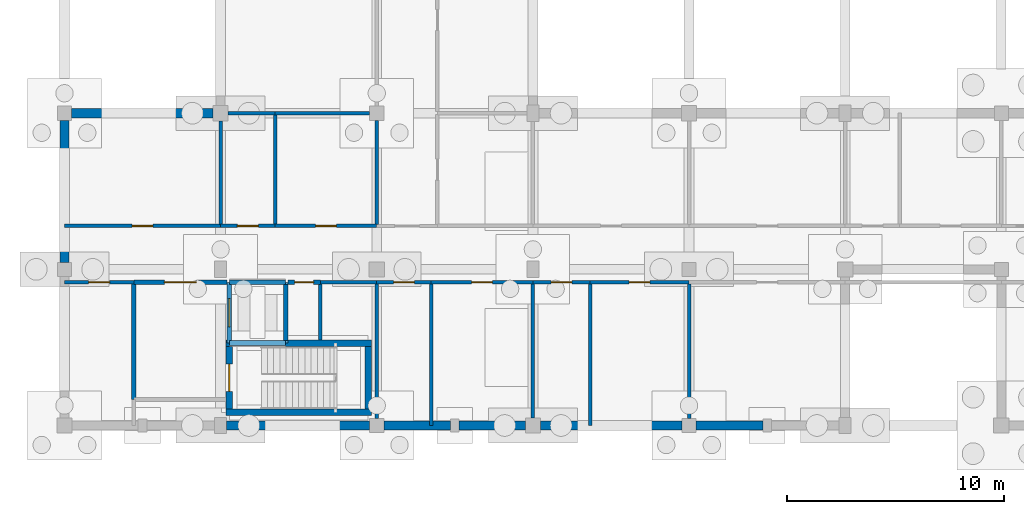
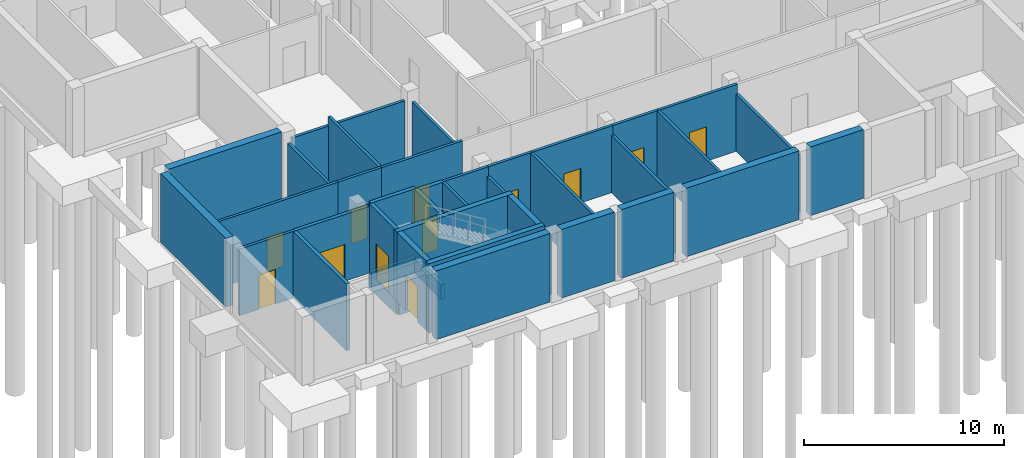
# One storey, part 7 of 17: 41 walls, 12 doors, 12 openings.
"""IFC4 building model written with IfcOpenShell, lengths in metres."""

from ifc_helpers import new_model, si_unit, direction, frame, frame_2d, origin, place, context, subcontext, project, spatial, rectangle, extrude, material, layer, layer_set, type_object, element, fill, save


model = new_model("IFC4")

# Units and contexts
model_context = context("Model", 3, precision=1e-05, world=origin(), true_north=direction((0.0, 1.0)))
body_context = subcontext(model_context, "Body", "Model", "MODEL_VIEW")
ifc_project = project(units=[si_unit("LENGTHUNIT", "METRE"), si_unit("AREAUNIT", "SQUARE_METRE"), si_unit("VOLUMEUNIT", "CUBIC_METRE"), si_unit("PLANEANGLEUNIT", "RADIAN"), si_unit("MASSUNIT", "GRAM", prefix="KILO")], contexts=[model_context])

# Site, building, storey
site_placement = place(None, origin())
site = spatial("IfcSite", under=ifc_project, at=site_placement, CompositionType="ELEMENT")
building_placement = place(site_placement, origin())
building = spatial("IfcBuilding", under=site, at=building_placement, Name="Hawrajan Terrace Health Centre", CompositionType="ELEMENT")
storey_placement = place(building_placement, frame((0.0, 0.0, -4.5)))
storey = spatial("IfcBuildingStorey", under=building, at=storey_placement, Name="B1", CompositionType="ELEMENT", Elevation=-4.5)

# Walls
ifc_material_1 = material(Name="Concrete C40/50", Category="concrete")
ifc_layer_1 = layer(ifc_material_1, 0.300048828125)
ifc_layer_set_1 = layer_set([ifc_layer_1], Name="Concrete C40/50")
wall_type_1 = type_object("IfcWallType", Name="CoreShearWall_RC300", PredefinedType="SHEAR", material=ifc_layer_set_1)
for number, where, z_axis, x_axis, name in (
    (1, (12.050048828125, 4.800048828125, 0.0), (0.0, 0.0, 1.0), (1.0, 0.0, 0.0), "Core shear wall SW-C3-B1-S"),
    (2, (12.050048828125, 8.0, 0.0), (0.0, 0.0, 1.0), (1.0, 0.0, 0.0), "Core shear wall SW-C3-B1-N"),
):
    element("IfcWall", number, at=place(storey_placement, frame(where, z_axis=z_axis, x_axis=x_axis)), inside=storey, type_object=wall_type_1, Name=name, PredefinedType="SHEAR", context=body_context, shape_type="SweptSolid", body=[
        extrude(rectangle(XDim=6.699951171875, YDim=0.300048828125, at=frame_2d((3.35009765625, 0.0))), origin(), (0.0, 0.0, 1.0), 4.25),
    ])

# Wall, opening, door
wall_1_placement = place(storey_placement, frame((12.199951171875, 4.949951171875, 0.0), z_axis=(0.0, 0.0, 1.0), x_axis=(0.0, 1.0, 0.0)))
wall_1 = element("IfcWall", 3, at=wall_1_placement, inside=storey, type_object=wall_type_1, Name="Core shear wall SW-C3-B1-W", PredefinedType="SHEAR", context=body_context, shape_type="SweptSolid", body=[
    extrude(rectangle(XDim=2.900146484375, YDim=0.300048828125, at=frame_2d((1.4501953125, 0.0))), origin(), (0.0, 0.0, 1.0), 4.25),
])
opening_1_placement = place(wall_1_placement, frame((0.824951171875, 0.0, 0.0)))
opening_1 = element("IfcOpeningElement", 4, at=opening_1_placement, cuts=wall_1, Name="Opening D-B1-003", PredefinedType="OPENING", context=body_context, shape_type="SweptSolid", body=[
    extrude(rectangle(XDim=1.25, YDim=2.14990234375, at=frame_2d((0.625, 1.074951171875))), frame((0.0, 0.159912109375, 0.0), z_axis=(0.0, -1.0, 0.0), x_axis=(1.0, 0.0, 0.0)), (0.0, 0.0, 1.0), 0.320068359375),
])
ifc_material_2 = material(Name="Timber-veneered acoustic fire-resisting door assembly", Category="wood")
door_type_1 = type_object("IfcDoorType", Name="CoreStairDoor_1250x2150", OperationType="NOTDEFINED", PredefinedType="DOOR", material=ifc_material_2)
door_1_placement = place(opening_1_placement, origin())
door_1 = element("IfcDoor", 5, at=door_1_placement, inside=storey, type_object=door_type_1, Name="Interior door D-B1-003", OperationType="SINGLE_SWING_LEFT", OverallHeight=2.14990234375, OverallWidth=1.25, PredefinedType="DOOR", context=body_context, shape_type="SweptSolid", body=[
    extrude(rectangle(XDim=1.25, YDim=2.14990234375, at=frame_2d((0.625, 1.074951171875))), frame((0.0, 0.02490234375, 0.0), z_axis=(0.0, -1.0, 0.0), x_axis=(1.0, 0.0, 0.0)), (0.0, 0.0, 1.0), 0.050048828125),
])
fill(opening_1, door_1)

# Wall
wall_2_placement = place(storey_placement, frame((18.60009765625, 4.949951171875, 0.0), z_axis=(0.0, 0.0, 1.0), x_axis=(0.0, 1.0, 0.0)))
element("IfcWall", 6, at=wall_2_placement, inside=storey, type_object=wall_type_1, Name="Core shear wall SW-C3-B1-E", PredefinedType="SHEAR", context=body_context, shape_type="SweptSolid", body=[
    extrude(rectangle(XDim=2.900146484375, YDim=0.300048828125, at=frame_2d((1.4501953125, 0.0))), origin(), (0.0, 0.0, 1.0), 4.25),
])

# Wall, opening, door
ifc_material_3 = material(Name="Gypsum board on acoustic stud framing")
ifc_layer_2 = layer(ifc_material_3, 0.159912109375)
ifc_layer_set_2 = layer_set([ifc_layer_2], Name="Gypsum board on acoustic stud framing")
wall_type_2 = type_object("IfcWallType", Name="CorridorFireWall_160", PredefinedType="PARTITIONING", material=ifc_layer_set_2)
wall_3_placement = place(storey_placement, frame((4.60009765625, 10.800048828125, 0.0), z_axis=(0.0, 0.0, 1.0), x_axis=(1.0, 0.0, 0.0)))
wall_3 = element("IfcWall", 7, at=wall_3_placement, inside=storey, type_object=wall_type_2, Name="Interior wall IW-B1-0001", PredefinedType="PARTITIONING", context=body_context, shape_type="SweptSolid", body=[
    extrude(rectangle(XDim=3.199951171875, YDim=0.159912109375, at=frame_2d((1.60009765625, 0.0))), origin(), (0.0, 0.0, 1.0), 4.080078125),
])
opening_2_placement = place(wall_3_placement, frame((1.1201171875, 0.0, 0.0)))
opening_2 = element("IfcOpeningElement", 8, at=opening_2_placement, cuts=wall_3, Name="Opening D-B1-077", PredefinedType="OPENING", context=body_context, shape_type="SweptSolid", body=[
    extrude(rectangle(XDim=0.9599609375, YDim=2.10009765625, at=frame_2d((0.47998046875, 1.050048828125))), frame((0.0, 0.08984375, 0.0), z_axis=(0.0, -1.0, 0.0), x_axis=(1.0, 0.0, 0.0)), (0.0, 0.0, 1.0), 0.179931640625),
])
door_type_2 = type_object("IfcDoorType", Name="ClinicalFireDoor_960x2100", OperationType="NOTDEFINED", PredefinedType="DOOR", material=ifc_material_2)
door_2_placement = place(opening_2_placement, origin())
door_2 = element("IfcDoor", 9, at=door_2_placement, inside=storey, type_object=door_type_2, Name="Interior door D-B1-077", OperationType="SINGLE_SWING_LEFT", OverallHeight=2.10009765625, OverallWidth=0.9599609375, PredefinedType="DOOR", context=body_context, shape_type="SweptSolid", body=[
    extrude(rectangle(XDim=0.9599609375, YDim=2.10009765625, at=frame_2d((0.47998046875, 1.050048828125))), frame((0.0, 0.02490234375, 0.0), z_axis=(0.0, -1.0, 0.0), x_axis=(1.0, 0.0, 0.0)), (0.0, 0.0, 1.0), 0.050048828125),
])
fill(opening_2, door_2)

wall_4_placement = place(storey_placement, frame((4.60009765625, 13.39990234375, 0.0), z_axis=(0.0, 0.0, 1.0), x_axis=(1.0, 0.0, 0.0)))
wall_4 = element("IfcWall", 10, at=wall_4_placement, inside=storey, type_object=wall_type_2, Name="Interior wall IW-B1-0002", PredefinedType="PARTITIONING", context=body_context, shape_type="SweptSolid", body=[
    extrude(rectangle(XDim=7.199951171875, YDim=0.159912109375, at=frame_2d((3.60009765625, 0.0))), origin(), (0.0, 0.0, 1.0), 4.080078125),
])
opening_3_placement = place(wall_4_placement, frame((3.1201171875, 0.0, 0.0)))
opening_3 = element("IfcOpeningElement", 11, at=opening_3_placement, cuts=wall_4, Name="Opening D-B1-078", PredefinedType="OPENING", context=body_context, shape_type="SweptSolid", body=[
    extrude(rectangle(XDim=0.9599609375, YDim=2.10009765625, at=frame_2d((0.47998046875, 1.050048828125))), frame((0.0, 0.08984375, 0.0), z_axis=(0.0, -1.0, 0.0), x_axis=(1.0, 0.0, 0.0)), (0.0, 0.0, 1.0), 0.179931640625),
])
door_3_placement = place(opening_3_placement, origin())
door_3 = element("IfcDoor", 12, at=door_3_placement, inside=storey, type_object=door_type_2, Name="Interior door D-B1-078", OperationType="SINGLE_SWING_RIGHT", OverallHeight=2.10009765625, OverallWidth=0.9599609375, PredefinedType="DOOR", context=body_context, shape_type="SweptSolid", body=[
    extrude(rectangle(XDim=0.9599609375, YDim=2.10009765625, at=frame_2d((0.47998046875, 1.050048828125))), frame((0.0, 0.02490234375, 0.0), z_axis=(0.0, -1.0, 0.0), x_axis=(1.0, 0.0, 0.0)), (0.0, 0.0, 1.0), 0.050048828125),
])
fill(opening_3, door_3)

# Wall
wall_5_placement = place(storey_placement, frame((11.800048828125, 13.469970703125, 0.0), z_axis=(0.0, 0.0, 1.0), x_axis=(0.0, 1.0, 0.0)))
element("IfcWall", 13, at=wall_5_placement, inside=storey, type_object=wall_type_2, Name="Interior wall IW-B1-0014", PredefinedType="PARTITIONING", context=body_context, shape_type="SweptSolid", body=[
    extrude(rectangle(XDim=4.780029296875, YDim=0.159912109375, at=frame_2d((2.39013671875, 0.0))), origin(), (0.0, 0.0, 1.0), 3.5),
])

# Wall, opening, door
wall_6_placement = place(storey_placement, frame((11.800048828125, 13.39990234375, 0.0), z_axis=(0.0, 0.0, 1.0), x_axis=(1.0, 0.0, 0.0)))
wall_6 = element("IfcWall", 14, at=wall_6_placement, inside=storey, type_object=wall_type_2, Name="Interior wall IW-B1-0015", PredefinedType="PARTITIONING", context=body_context, shape_type="SweptSolid", body=[
    extrude(rectangle(XDim=2.512939453125, YDim=0.159912109375, at=frame_2d((1.25634765625, 0.0))), origin(), (0.0, 0.0, 1.0), 4.080078125),
])
opening_4_placement = place(wall_6_placement, frame((0.776611328125, 0.0, 0.0)))
opening_4 = element("IfcOpeningElement", 15, at=opening_4_placement, cuts=wall_6, Name="Opening D-B1-079", PredefinedType="OPENING", context=body_context, shape_type="SweptSolid", body=[
    extrude(rectangle(XDim=0.9599609375, YDim=2.10009765625, at=frame_2d((0.47998046875, 1.050048828125))), frame((0.0, 0.08984375, 0.0), z_axis=(0.0, -1.0, 0.0), x_axis=(1.0, 0.0, 0.0)), (0.0, 0.0, 1.0), 0.179931640625),
])
door_4_placement = place(opening_4_placement, origin())
door_4 = element("IfcDoor", 16, at=door_4_placement, inside=storey, type_object=door_type_2, Name="Interior door D-B1-079", OperationType="SINGLE_SWING_LEFT", OverallHeight=2.10009765625, OverallWidth=0.9599609375, PredefinedType="DOOR", context=body_context, shape_type="SweptSolid", body=[
    extrude(rectangle(XDim=0.9599609375, YDim=2.10009765625, at=frame_2d((0.47998046875, 1.050048828125))), frame((0.0, 0.02490234375, 0.0), z_axis=(0.0, -1.0, 0.0), x_axis=(1.0, 0.0, 0.0)), (0.0, 0.0, 1.0), 0.050048828125),
])
fill(opening_4, door_4)

# Walls
wall_7_placement = place(storey_placement, frame((12.14990234375, 18.60009765625, 0.0), z_axis=(0.0, 0.0, 1.0), x_axis=(1.0, 0.0, 0.0)))
element("IfcWall", 17, at=wall_7_placement, inside=storey, type_object=wall_type_2, Name="Interior wall IW-B1-0016", PredefinedType="PARTITIONING", context=body_context, shape_type="SweptSolid", body=[
    extrude(rectangle(XDim=2.1630859375, YDim=0.159912109375, at=frame_2d((1.08154296875, 0.0))), origin(), (0.0, 0.0, 1.0), 3.5),
])
wall_8_placement = place(storey_placement, frame((14.31298828125, 13.469970703125, 0.0), z_axis=(0.0, 0.0, 1.0), x_axis=(0.0, 1.0, 0.0)))
element("IfcWall", 18, at=wall_8_placement, inside=storey, type_object=wall_type_2, Name="Interior wall IW-B1-0025", PredefinedType="PARTITIONING", context=body_context, shape_type="SweptSolid", body=[
    extrude(rectangle(XDim=5.06005859375, YDim=0.159912109375, at=frame_2d((2.530029296875, 0.0))), origin(), (0.0, 0.0, 1.0), 4.080078125),
])

# Wall, opening, door
wall_9_placement = place(storey_placement, frame((14.31298828125, 13.39990234375, 0.0), z_axis=(0.0, 0.0, 1.0), x_axis=(1.0, 0.0, 0.0)))
wall_9 = element("IfcWall", 19, at=wall_9_placement, inside=storey, type_object=wall_type_2, Name="Interior wall IW-B1-0026", PredefinedType="PARTITIONING", context=body_context, shape_type="SweptSolid", body=[
    extrude(rectangle(XDim=4.68701171875, YDim=0.159912109375, at=frame_2d((2.343505859375, 0.0))), origin(), (0.0, 0.0, 1.0), 4.080078125),
])
opening_5_placement = place(wall_9_placement, frame((1.863525390625, 0.0, 0.0)))
opening_5 = element("IfcOpeningElement", 20, at=opening_5_placement, cuts=wall_9, Name="Opening D-B1-080", PredefinedType="OPENING", context=body_context, shape_type="SweptSolid", body=[
    extrude(rectangle(XDim=0.9599609375, YDim=2.10009765625, at=frame_2d((0.47998046875, 1.050048828125))), frame((0.0, 0.08984375, 0.0), z_axis=(0.0, -1.0, 0.0), x_axis=(1.0, 0.0, 0.0)), (0.0, 0.0, 1.0), 0.179931640625),
])
door_5_placement = place(opening_5_placement, origin())
door_5 = element("IfcDoor", 21, at=door_5_placement, inside=storey, type_object=door_type_2, Name="Interior door D-B1-080", OperationType="SINGLE_SWING_RIGHT", OverallHeight=2.10009765625, OverallWidth=0.9599609375, PredefinedType="DOOR", context=body_context, shape_type="SweptSolid", body=[
    extrude(rectangle(XDim=0.9599609375, YDim=2.10009765625, at=frame_2d((0.47998046875, 1.050048828125))), frame((0.0, 0.02490234375, 0.0), z_axis=(0.0, -1.0, 0.0), x_axis=(1.0, 0.0, 0.0)), (0.0, 0.0, 1.0), 0.050048828125),
])
fill(opening_5, door_5)

# Wall
wall_10_placement = place(storey_placement, frame((14.31298828125, 18.60009765625, 0.0), z_axis=(0.0, 0.0, 1.0), x_axis=(1.0, 0.0, 0.0)))
element("IfcWall", 22, at=wall_10_placement, inside=storey, type_object=wall_type_2, Name="Interior wall IW-B1-0027", PredefinedType="PARTITIONING", context=body_context, shape_type="SweptSolid", body=[
    extrude(rectangle(XDim=4.362060546875, YDim=0.159912109375, at=frame_2d((2.18115234375, 0.0))), origin(), (0.0, 0.0, 1.0), 3.5),
])

# Wall, opening, door
wall_11_placement = place(storey_placement, frame((19.0, 10.800048828125, 0.0), z_axis=(0.0, 0.0, 1.0), x_axis=(1.0, 0.0, 0.0)))
wall_11 = element("IfcWall", 23, at=wall_11_placement, inside=storey, type_object=wall_type_2, Name="Interior wall IW-B1-0036", PredefinedType="PARTITIONING", context=body_context, shape_type="SweptSolid", body=[
    extrude(rectangle(XDim=2.512939453125, YDim=0.159912109375, at=frame_2d((1.25634765625, 0.0))), origin(), (0.0, 0.0, 1.0), 4.080078125),
])
opening_6_placement = place(wall_11_placement, frame((0.776611328125, 0.0, 0.0)))
opening_6 = element("IfcOpeningElement", 24, at=opening_6_placement, cuts=wall_11, Name="Opening D-B1-081", PredefinedType="OPENING", context=body_context, shape_type="SweptSolid", body=[
    extrude(rectangle(XDim=0.9599609375, YDim=2.10009765625, at=frame_2d((0.47998046875, 1.050048828125))), frame((0.0, 0.08984375, 0.0), z_axis=(0.0, -1.0, 0.0), x_axis=(1.0, 0.0, 0.0)), (0.0, 0.0, 1.0), 0.179931640625),
])
door_6_placement = place(opening_6_placement, origin())
door_6 = element("IfcDoor", 25, at=door_6_placement, inside=storey, type_object=door_type_2, Name="Interior door D-B1-081", OperationType="SINGLE_SWING_LEFT", OverallHeight=2.10009765625, OverallWidth=0.9599609375, PredefinedType="DOOR", context=body_context, shape_type="SweptSolid", body=[
    extrude(rectangle(XDim=0.9599609375, YDim=2.10009765625, at=frame_2d((0.47998046875, 1.050048828125))), frame((0.0, 0.02490234375, 0.0), z_axis=(0.0, -1.0, 0.0), x_axis=(1.0, 0.0, 0.0)), (0.0, 0.0, 1.0), 0.050048828125),
])
fill(opening_6, door_6)

# Walls
wall_12_placement = place(storey_placement, frame((19.0, 13.469970703125, 0.0), z_axis=(0.0, 0.0, 1.0), x_axis=(0.0, 1.0, 0.0)))
element("IfcWall", 26, at=wall_12_placement, inside=storey, type_object=wall_type_2, Name="Interior wall IW-B1-0037", PredefinedType="PARTITIONING", context=body_context, shape_type="SweptSolid", body=[
    extrude(rectangle(XDim=4.804931640625, YDim=0.159912109375, at=frame_2d((2.40234375, 0.0))), origin(), (0.0, 0.0, 1.0), 3.5),
])
wall_13_placement = place(storey_placement, frame((21.512939453125, 4.199951171875, 0.0), z_axis=(0.0, 0.0, 1.0), x_axis=(0.0, 1.0, 0.0)))
element("IfcWall", 27, at=wall_13_placement, inside=storey, type_object=wall_type_2, Name="Interior wall IW-B1-0045", PredefinedType="PARTITIONING", context=body_context, shape_type="SweptSolid", body=[
    extrude(rectangle(XDim=6.530029296875, YDim=0.159912109375, at=frame_2d((3.26513671875, 0.0))), origin(), (0.0, 0.0, 1.0), 4.080078125),
])

# Wall, opening, door
wall_14_placement = place(storey_placement, frame((21.512939453125, 10.800048828125, 0.0), z_axis=(0.0, 0.0, 1.0), x_axis=(1.0, 0.0, 0.0)))
wall_14 = element("IfcWall", 28, at=wall_14_placement, inside=storey, type_object=wall_type_2, Name="Interior wall IW-B1-0046", PredefinedType="PARTITIONING", context=body_context, shape_type="SweptSolid", body=[
    extrude(rectangle(XDim=4.68701171875, YDim=0.159912109375, at=frame_2d((2.343505859375, 0.0))), origin(), (0.0, 0.0, 1.0), 4.080078125),
])
opening_7_placement = place(wall_14_placement, frame((1.863525390625, 0.0, 0.0)))
opening_7 = element("IfcOpeningElement", 29, at=opening_7_placement, cuts=wall_14, Name="Opening D-B1-082", PredefinedType="OPENING", context=body_context, shape_type="SweptSolid", body=[
    extrude(rectangle(XDim=0.9599609375, YDim=2.10009765625, at=frame_2d((0.47998046875, 1.050048828125))), frame((0.0, 0.08984375, 0.0), z_axis=(0.0, -1.0, 0.0), x_axis=(1.0, 0.0, 0.0)), (0.0, 0.0, 1.0), 0.179931640625),
])
door_7_placement = place(opening_7_placement, origin())
door_7 = element("IfcDoor", 30, at=door_7_placement, inside=storey, type_object=door_type_2, Name="Interior door D-B1-082", OperationType="SINGLE_SWING_RIGHT", OverallHeight=2.10009765625, OverallWidth=0.9599609375, PredefinedType="DOOR", context=body_context, shape_type="SweptSolid", body=[
    extrude(rectangle(XDim=0.9599609375, YDim=2.10009765625, at=frame_2d((0.47998046875, 1.050048828125))), frame((0.0, 0.02490234375, 0.0), z_axis=(0.0, -1.0, 0.0), x_axis=(1.0, 0.0, 0.0)), (0.0, 0.0, 1.0), 0.050048828125),
])
fill(opening_7, door_7)

# Wall
wall_15_placement = place(storey_placement, frame((26.199951171875, 4.550048828125, 0.0), z_axis=(0.0, 0.0, 1.0), x_axis=(0.0, 1.0, 0.0)))
element("IfcWall", 31, at=wall_15_placement, inside=storey, type_object=wall_type_2, Name="Interior wall IW-B1-0063", PredefinedType="PARTITIONING", context=body_context, shape_type="SweptSolid", body=[
    extrude(rectangle(XDim=6.179931640625, YDim=0.159912109375, at=frame_2d((3.08984375, 0.0))), origin(), (0.0, 0.0, 1.0), 3.5),
])

# Wall, opening, door
wall_16_placement = place(storey_placement, frame((26.199951171875, 10.800048828125, 0.0), z_axis=(0.0, 0.0, 1.0), x_axis=(1.0, 0.0, 0.0)))
wall_16 = element("IfcWall", 32, at=wall_16_placement, inside=storey, type_object=wall_type_2, Name="Interior wall IW-B1-0064", PredefinedType="PARTITIONING", context=body_context, shape_type="SweptSolid", body=[
    extrude(rectangle(XDim=2.635009765625, YDim=0.159912109375, at=frame_2d((1.3173828125, 0.0))), origin(), (0.0, 0.0, 1.0), 4.080078125),
])
opening_8_placement = place(wall_16_placement, frame((0.83740234375, 0.0, 0.0)))
opening_8 = element("IfcOpeningElement", 33, at=opening_8_placement, cuts=wall_16, Name="Opening D-B1-084", PredefinedType="OPENING", context=body_context, shape_type="SweptSolid", body=[
    extrude(rectangle(XDim=0.9599609375, YDim=2.10009765625, at=frame_2d((0.47998046875, 1.050048828125))), frame((0.0, 0.08984375, 0.0), z_axis=(0.0, -1.0, 0.0), x_axis=(1.0, 0.0, 0.0)), (0.0, 0.0, 1.0), 0.179931640625),
])
door_8_placement = place(opening_8_placement, origin())
door_8 = element("IfcDoor", 34, at=door_8_placement, inside=storey, type_object=door_type_2, Name="Interior door D-B1-084", OperationType="SINGLE_SWING_RIGHT", OverallHeight=2.10009765625, OverallWidth=0.9599609375, PredefinedType="DOOR", context=body_context, shape_type="SweptSolid", body=[
    extrude(rectangle(XDim=0.9599609375, YDim=2.10009765625, at=frame_2d((0.47998046875, 1.050048828125))), frame((0.0, 0.02490234375, 0.0), z_axis=(0.0, -1.0, 0.0), x_axis=(1.0, 0.0, 0.0)), (0.0, 0.0, 1.0), 0.050048828125),
])
fill(opening_8, door_8)

# Wall
wall_17_placement = place(storey_placement, frame((28.8349609375, 4.199951171875, 0.0), z_axis=(0.0, 0.0, 1.0), x_axis=(0.0, 1.0, 0.0)))
element("IfcWall", 35, at=wall_17_placement, inside=storey, type_object=wall_type_2, Name="Interior wall IW-B1-0075", PredefinedType="PARTITIONING", context=body_context, shape_type="SweptSolid", body=[
    extrude(rectangle(XDim=6.530029296875, YDim=0.159912109375, at=frame_2d((3.26513671875, 0.0))), origin(), (0.0, 0.0, 1.0), 4.080078125),
])

# Wall, opening, door
wall_18_placement = place(storey_placement, frame((28.8349609375, 10.800048828125, 0.0), z_axis=(0.0, 0.0, 1.0), x_axis=(1.0, 0.0, 0.0)))
wall_18 = element("IfcWall", 36, at=wall_18_placement, inside=storey, type_object=wall_type_2, Name="Interior wall IW-B1-0076", PredefinedType="PARTITIONING", context=body_context, shape_type="SweptSolid", body=[
    extrude(rectangle(XDim=4.56494140625, YDim=0.159912109375, at=frame_2d((2.282470703125, 0.0))), origin(), (0.0, 0.0, 1.0), 4.080078125),
])
opening_9_placement = place(wall_18_placement, frame((1.802490234375, 0.0, 0.0)))
opening_9 = element("IfcOpeningElement", 37, at=opening_9_placement, cuts=wall_18, Name="Opening D-B1-085", PredefinedType="OPENING", context=body_context, shape_type="SweptSolid", body=[
    extrude(rectangle(XDim=0.9599609375, YDim=2.10009765625, at=frame_2d((0.47998046875, 1.050048828125))), frame((0.0, 0.08984375, 0.0), z_axis=(0.0, -1.0, 0.0), x_axis=(1.0, 0.0, 0.0)), (0.0, 0.0, 1.0), 0.179931640625),
])
door_9_placement = place(opening_9_placement, origin())
door_9 = element("IfcDoor", 38, at=door_9_placement, inside=storey, type_object=door_type_2, Name="Interior door D-B1-085", OperationType="SINGLE_SWING_LEFT", OverallHeight=2.10009765625, OverallWidth=0.9599609375, PredefinedType="DOOR", context=body_context, shape_type="SweptSolid", body=[
    extrude(rectangle(XDim=0.9599609375, YDim=2.10009765625, at=frame_2d((0.47998046875, 1.050048828125))), frame((0.0, 0.02490234375, 0.0), z_axis=(0.0, -1.0, 0.0), x_axis=(1.0, 0.0, 0.0)), (0.0, 0.0, 1.0), 0.050048828125),
])
fill(opening_9, door_9)

# Walls
wall_19_placement = place(storey_placement, frame((33.39990234375, 4.52490234375, 0.0), z_axis=(0.0, 0.0, 1.0), x_axis=(0.0, 1.0, 0.0)))
element("IfcWall", 39, at=wall_19_placement, inside=storey, type_object=wall_type_2, Name="Interior wall IW-B1-0079", PredefinedType="PARTITIONING", context=body_context, shape_type="SweptSolid", body=[
    extrude(rectangle(XDim=6.205078125, YDim=0.159912109375, at=frame_2d((3.1025390625, 0.0))), origin(), (0.0, 0.0, 1.0), 3.5),
])
wall_20_placement = place(storey_placement, frame((16.39990234375, 8.139892578125, 0.0), z_axis=(0.0, 0.0, 1.0), x_axis=(0.0, 1.0, 0.0)))
element("IfcWall", 40, at=wall_20_placement, inside=storey, type_object=wall_type_2, Name="Interior wall IW-B1-0173", PredefinedType="PARTITIONING", context=body_context, shape_type="SweptSolid", body=[
    extrude(rectangle(XDim=2.590087890625, YDim=0.159912109375, at=frame_2d((1.294921875, 0.0))), origin(), (0.0, 0.0, 1.0), 4.080078125),
])
wall_21_placement = place(storey_placement, frame((16.39990234375, 10.800048828125, 0.0), z_axis=(0.0, 0.0, 1.0), x_axis=(1.0, 0.0, 0.0)))
element("IfcWall", 41, at=wall_21_placement, inside=storey, type_object=wall_type_2, Name="Interior wall IW-B1-0185", PredefinedType="PARTITIONING", context=body_context, shape_type="SweptSolid", body=[
    extrude(rectangle(XDim=2.60009765625, YDim=0.159912109375, at=frame_2d((1.300048828125, 0.0))), origin(), (0.0, 0.0, 1.0), 4.080078125),
])
wall_22_placement = place(storey_placement, frame((19.0, 4.52490234375, 0.0), z_axis=(0.0, 0.0, 1.0), x_axis=(0.0, 1.0, 0.0)))
element("IfcWall", 42, at=wall_22_placement, inside=storey, type_object=wall_type_2, Name="Interior wall IW-B1-0197", PredefinedType="PARTITIONING", context=body_context, shape_type="SweptSolid", body=[
    extrude(rectangle(XDim=6.205078125, YDim=0.159912109375, at=frame_2d((3.1025390625, 0.0))), origin(), (0.0, 0.0, 1.0), 3.5),
])
ifc_material_4 = material(Name="Cross-laminated timber CLT C24", Category="wood")
ifc_layer_3 = layer(ifc_material_4, 0.199951171875)
ifc_layer_set_3 = layer_set([ifc_layer_3], Name="Cross-laminated timber CLT C24")
wall_type_3 = type_object("IfcWallType", Name="FireCompartmentWall_200", PredefinedType="PARTITIONING", material=ifc_layer_set_3)
wall_23_placement = place(storey_placement, frame((7.800048828125, 5.39990234375, 0.0), z_axis=(0.0, 0.0, 1.0), x_axis=(0.0, 1.0, 0.0)))
element("IfcWall", 43, at=wall_23_placement, inside=storey, type_object=wall_type_3, Name="Interior wall IW-B1-0010", PredefinedType="PARTITIONING", context=body_context, shape_type="SweptSolid", body=[
    extrude(rectangle(XDim=5.330078125, YDim=0.199951171875, at=frame_2d((2.6650390625, 0.0))), origin(), (0.0, 0.0, 1.0), 4.080078125),
])

# Wall, opening, door
wall_24_placement = place(storey_placement, frame((7.800048828125, 10.800048828125, 0.0), z_axis=(0.0, 0.0, 1.0), x_axis=(1.0, 0.0, 0.0)))
wall_24 = element("IfcWall", 44, at=wall_24_placement, inside=storey, type_object=wall_type_3, Name="Interior wall IW-B1-0011", PredefinedType="PARTITIONING", context=body_context, shape_type="SweptSolid", body=[
    extrude(rectangle(XDim=4.2900390625, YDim=0.199951171875, at=frame_2d((2.14501953125, 0.0))), origin(), (0.0, 0.0, 1.0), 4.080078125),
])
opening_10_placement = place(wall_24_placement, frame((1.405029296875, 0.0, 0.0)))
opening_10 = element("IfcOpeningElement", 45, at=opening_10_placement, cuts=wall_24, Name="Opening D-B1-007", PredefinedType="OPENING", context=body_context, shape_type="SweptSolid", body=[
    extrude(rectangle(XDim=1.47998046875, YDim=2.25, at=frame_2d((0.739990234375, 1.125))), frame((0.0, 0.10986328125, 0.0), z_axis=(0.0, -1.0, 0.0), x_axis=(1.0, 0.0, 0.0)), (0.0, 0.0, 1.0), 0.219970703125),
])
door_type_3 = type_object("IfcDoorType", Name="FFLobbyDoor_1480x2250", OperationType="DOUBLE_DOOR_SINGLE_SWING", PredefinedType="DOOR", material=ifc_material_2)
door_10_placement = place(opening_10_placement, origin())
door_10 = element("IfcDoor", 46, at=door_10_placement, inside=storey, type_object=door_type_3, Name="Interior door D-B1-007", OperationType="DOUBLE_DOOR_SINGLE_SWING", OverallHeight=2.25, OverallWidth=1.47998046875, PredefinedType="DOOR", context=body_context, shape_type="SweptSolid", body=[
    extrude(rectangle(XDim=1.47998046875, YDim=2.25, at=frame_2d((0.739990234375, 1.125))), frame((0.0, 0.02490234375, 0.0), z_axis=(0.0, -1.0, 0.0), x_axis=(1.0, 0.0, 0.0)), (0.0, 0.0, 1.0), 0.050048828125),
])
fill(opening_10, door_10)

# Walls
ifc_layer_4 = layer(ifc_material_1, 0.419921875)
ifc_layer_set_4 = layer_set([ifc_layer_4], Name="Concrete C40/50")
wall_type_4 = type_object("IfcWallType", Name="RetainingWall_RC420", PredefinedType="USERDEFINED", material=ifc_layer_set_4)
wall_25_placement = place(storey_placement, frame((4.925048828125, 18.60009765625, 0.0), z_axis=(0.0, 0.0, 1.0), x_axis=(1.0, 0.0, 0.0)))
element("IfcWall", 47, at=wall_25_placement, inside=storey, type_object=wall_type_4, Name="Exterior wall EW-B1-H00-02-1", ObjectType="RETAINING WALL", PredefinedType="USERDEFINED", context=body_context, shape_type="SweptSolid", body=[
    extrude(rectangle(XDim=6.52490234375, YDim=0.419921875, at=frame_2d((3.262451171875, 0.0))), origin(), (0.0, 0.0, 1.0), 4.199951171875),
])
wall_26_placement = place(storey_placement, frame((4.60009765625, 11.72509765625, 0.0), z_axis=(0.0, 0.0, 1.0), x_axis=(0.0, 1.0, 0.0)))
element("IfcWall", 48, at=wall_26_placement, inside=storey, type_object=wall_type_4, Name="Exterior wall EW-B1-V00-01-1", ObjectType="RETAINING WALL", PredefinedType="USERDEFINED", context=body_context, shape_type="SweptSolid", body=[
    extrude(rectangle(XDim=6.5498046875, YDim=0.419921875, at=frame_2d((3.27490234375, 0.0))), origin(), (0.0, 0.0, 1.0), 4.199951171875),
])
wall_27_placement = place(storey_placement, frame((12.074951171875, 4.199951171875, 0.0), z_axis=(0.0, 0.0, 1.0), x_axis=(1.0, 0.0, 0.0)))
element("IfcWall", 49, at=wall_27_placement, inside=storey, type_object=wall_type_4, Name="Exterior wall EW-B1-H01-00-1", ObjectType="RETAINING WALL", PredefinedType="USERDEFINED", context=body_context, shape_type="SweptSolid", body=[
    extrude(rectangle(XDim=6.60009765625, YDim=0.419921875, at=frame_2d((3.300048828125, 0.0))), origin(), (0.0, 0.0, 1.0), 4.199951171875),
])
wall_28_placement = place(storey_placement, frame((19.324951171875, 4.199951171875, 0.0), z_axis=(0.0, 0.0, 1.0), x_axis=(1.0, 0.0, 0.0)))
element("IfcWall", 50, at=wall_28_placement, inside=storey, type_object=wall_type_4, Name="Exterior wall EW-B1-H02-00-1", ObjectType="RETAINING WALL", PredefinedType="USERDEFINED", context=body_context, shape_type="SweptSolid", body=[
    extrude(rectangle(XDim=3.074951171875, YDim=0.419921875, at=frame_2d((1.53759765625, 0.0))), origin(), (0.0, 0.0, 1.0), 4.199951171875),
])
wall_29_placement = place(storey_placement, frame((22.800048828125, 4.199951171875, 0.0), z_axis=(0.0, 0.0, 1.0), x_axis=(1.0, 0.0, 0.0)))
element("IfcWall", 51, at=wall_29_placement, inside=storey, type_object=wall_type_4, Name="Exterior wall EW-B1-H02-00-2", ObjectType="RETAINING WALL", PredefinedType="USERDEFINED", context=body_context, shape_type="SweptSolid", body=[
    extrude(rectangle(XDim=3.050048828125, YDim=0.419921875, at=frame_2d((1.52490234375, 0.0))), origin(), (0.0, 0.0, 1.0), 4.199951171875),
])
wall_30_placement = place(storey_placement, frame((26.550048828125, 4.199951171875, 0.0), z_axis=(0.0, 0.0, 1.0), x_axis=(1.0, 0.0, 0.0)))
element("IfcWall", 52, at=wall_30_placement, inside=storey, type_object=wall_type_4, Name="Exterior wall EW-B1-H03-00-1", ObjectType="RETAINING WALL", PredefinedType="USERDEFINED", context=body_context, shape_type="SweptSolid", body=[
    extrude(rectangle(XDim=6.52490234375, YDim=0.419921875, at=frame_2d((3.262451171875, 0.0))), origin(), (0.0, 0.0, 1.0), 4.199951171875),
])
wall_31_placement = place(storey_placement, frame((33.72509765625, 4.199951171875, 0.0), z_axis=(0.0, 0.0, 1.0), x_axis=(1.0, 0.0, 0.0)))
element("IfcWall", 53, at=wall_31_placement, inside=storey, type_object=wall_type_4, Name="Exterior wall EW-B1-H04-00-1", ObjectType="RETAINING WALL", PredefinedType="USERDEFINED", context=body_context, shape_type="SweptSolid", body=[
    extrude(rectangle(XDim=3.074951171875, YDim=0.419921875, at=frame_2d((1.53759765625, 0.0))), origin(), (0.0, 0.0, 1.0), 4.199951171875),
])
ifc_layer_5 = layer(ifc_material_1, 0.219970703125)
ifc_layer_set_5 = layer_set([ifc_layer_5], Name="Concrete C40/50")
wall_type_5 = type_object("IfcWallType", Name="ShaftWall_RC220", PredefinedType="SOLIDWALL", material=ifc_layer_set_5)
wall_32_placement = place(storey_placement, frame((12.199951171875, 10.800048828125, 0.0), z_axis=(0.0, 0.0, 1.0), x_axis=(1.0, 0.0, 0.0)))
element("IfcWall", 54, at=wall_32_placement, inside=storey, type_object=wall_type_5, Name="Lift shaft wall LW-LC-04-B1-N", PredefinedType="SOLIDWALL", context=body_context, shape_type="SweptSolid", body=[
    extrude(rectangle(XDim=2.60009765625, YDim=0.219970703125, at=frame_2d((1.300048828125, 0.0))), origin(), (0.0, 0.0, 1.0), 4.25),
])

# Wall, opening, door
wall_33_placement = place(storey_placement, frame((12.199951171875, 8.110107421875, 0.0), z_axis=(0.0, 0.0, 1.0), x_axis=(0.0, 1.0, 0.0)))
wall_33 = element("IfcWall", 55, at=wall_33_placement, inside=storey, type_object=wall_type_5, Name="Lift shaft wall LW-LC-04-B1-W", PredefinedType="SOLIDWALL", context=body_context, shape_type="SweptSolid", body=[
    extrude(rectangle(XDim=2.579833984375, YDim=0.219970703125, at=frame_2d((1.2900390625, 0.0))), origin(), (0.0, 0.0, 1.0), 4.25),
])
opening_11_placement = place(wall_33_placement, frame((0.639892578125, 0.0, 0.0)))
opening_11 = element("IfcOpeningElement", 56, at=opening_11_placement, cuts=wall_33, Name="Opening LD-B1-LC-04", PredefinedType="OPENING", context=body_context, shape_type="SweptSolid", body=[
    extrude(rectangle(XDim=1.300048828125, YDim=2.199951171875, at=frame_2d((0.64990234375, 1.10009765625))), frame((0.0, 0.119873046875, 0.0), z_axis=(0.0, -1.0, 0.0), x_axis=(1.0, 0.0, 0.0)), (0.0, 0.0, 1.0), 0.239990234375),
])
ifc_material_5 = material(Name="Brushed bronze stainless-steel sliding lift landing door", Category="steel")
door_type_4 = type_object("IfcDoorType", Name="LiftLandingDoor_1300x2200", OperationType="SLIDING_TO_LEFT", PredefinedType="DOOR", material=ifc_material_5)
door_11_placement = place(opening_11_placement, origin())
door_11 = element("IfcDoor", 57, at=door_11_placement, inside=storey, type_object=door_type_4, Name="Lift landing door LD-B1-LC-04", OperationType="SLIDING_TO_LEFT", OverallHeight=2.199951171875, OverallWidth=1.300048828125, PredefinedType="DOOR", context=body_context, shape_type="SweptSolid", body=[
    extrude(rectangle(XDim=1.300048828125, YDim=2.199951171875, at=frame_2d((0.64990234375, 1.10009765625))), frame((0.0, 0.02490234375, 0.0), z_axis=(0.0, -1.0, 0.0), x_axis=(1.0, 0.0, 0.0)), (0.0, 0.0, 1.0), 0.050048828125),
])
fill(opening_11, door_11)

# Walls
wall_34_placement = place(storey_placement, frame((14.800048828125, 8.110107421875, 0.0), z_axis=(0.0, 0.0, 1.0), x_axis=(0.0, 1.0, 0.0)))
element("IfcWall", 58, at=wall_34_placement, inside=storey, type_object=wall_type_5, Name="Lift shaft wall LW-LC-04-B1-E", PredefinedType="SOLIDWALL", context=body_context, shape_type="SweptSolid", body=[
    extrude(rectangle(XDim=2.579833984375, YDim=0.219970703125, at=frame_2d((1.2900390625, 0.0))), origin(), (0.0, 0.0, 1.0), 4.25),
])
for number, where, z_axis, x_axis, name in (
    (59, (12.199951171875, 8.0, -0.89990234375), (0.0, 0.0, 1.0), (0.0, 1.0, 0.0), "Lift pit wall LC-04-W"),
    (60, (14.800048828125, 8.0, -0.89990234375), (0.0, 0.0, 1.0), (0.0, 1.0, 0.0), "Lift pit wall LC-04-E"),
):
    element("IfcWall", number, at=place(storey_placement, frame(where, z_axis=z_axis, x_axis=x_axis)), inside=storey, type_object=wall_type_5, Name=name, PredefinedType="SOLIDWALL", context=body_context, shape_type="SweptSolid", body=[
        extrude(rectangle(XDim=2.800048828125, YDim=0.219970703125, at=frame_2d((1.39990234375, 0.0))), origin(), (0.0, 0.0, 1.0), 0.89990234375),
    ])
for number, where, z_axis, x_axis, name in (
    (61, (12.199951171875, 8.0, -0.89990234375), (0.0, 0.0, 1.0), (1.0, 0.0, 0.0), "Lift pit wall LC-04-S"),
    (62, (12.199951171875, 10.800048828125, -0.89990234375), (0.0, 0.0, 1.0), (1.0, 0.0, 0.0), "Lift pit wall LC-04-N"),
):
    element("IfcWall", number, at=place(storey_placement, frame(where, z_axis=z_axis, x_axis=x_axis)), inside=storey, type_object=wall_type_5, Name=name, PredefinedType="SOLIDWALL", context=body_context, shape_type="SweptSolid", body=[
        extrude(rectangle(XDim=2.60009765625, YDim=0.219970703125, at=frame_2d((1.300048828125, 0.0))), origin(), (0.0, 0.0, 1.0), 0.89990234375),
    ])

# Wall, opening, door
wall_35_placement = place(storey_placement, frame((14.909912109375, 10.800048828125, 0.0), z_axis=(0.0, 0.0, 1.0), x_axis=(1.0, 0.0, 0.0)))
wall_35 = element("IfcWall", 63, at=wall_35_placement, inside=storey, type_object=wall_type_5, Name="Interior wall IW-B1-0029", PredefinedType="SOLIDWALL", context=body_context, shape_type="SweptSolid", body=[
    extrude(rectangle(XDim=1.489990234375, YDim=0.219970703125, at=frame_2d((0.7451171875, 0.0))), origin(), (0.0, 0.0, 1.0), 4.080078125),
])
opening_12_placement = place(wall_35_placement, frame((0.304931640625, 0.0, 0.0)))
opening_12 = element("IfcOpeningElement", 64, at=opening_12_placement, cuts=wall_35, Name="Opening D-B1-023", PredefinedType="OPENING", context=body_context, shape_type="SweptSolid", body=[
    extrude(rectangle(XDim=0.8798828125, YDim=2.050048828125, at=frame_2d((0.43994140625, 1.02490234375))), frame((0.0, 0.119873046875, 0.0), z_axis=(0.0, -1.0, 0.0), x_axis=(1.0, 0.0, 0.0)), (0.0, 0.0, 1.0), 0.239990234375),
])
door_type_5 = type_object("IfcDoorType", Name="RiserAccessDoor_880x2050", OperationType="NOTDEFINED", PredefinedType="DOOR", material=ifc_material_2)
door_12_placement = place(opening_12_placement, origin())
door_12 = element("IfcDoor", 65, at=door_12_placement, inside=storey, type_object=door_type_5, Name="Service riser access door D-B1-023", OperationType="SINGLE_SWING_LEFT", OverallHeight=2.050048828125, OverallWidth=0.8798828125, PredefinedType="DOOR", context=body_context, shape_type="SweptSolid", body=[
    extrude(rectangle(XDim=0.8798828125, YDim=2.050048828125, at=frame_2d((0.43994140625, 1.02490234375))), frame((0.0, 0.02490234375, 0.0), z_axis=(0.0, -1.0, 0.0), x_axis=(1.0, 0.0, 0.0)), (0.0, 0.0, 1.0), 0.050048828125),
])
fill(opening_12, door_12)

save(model, "model.ifc")
